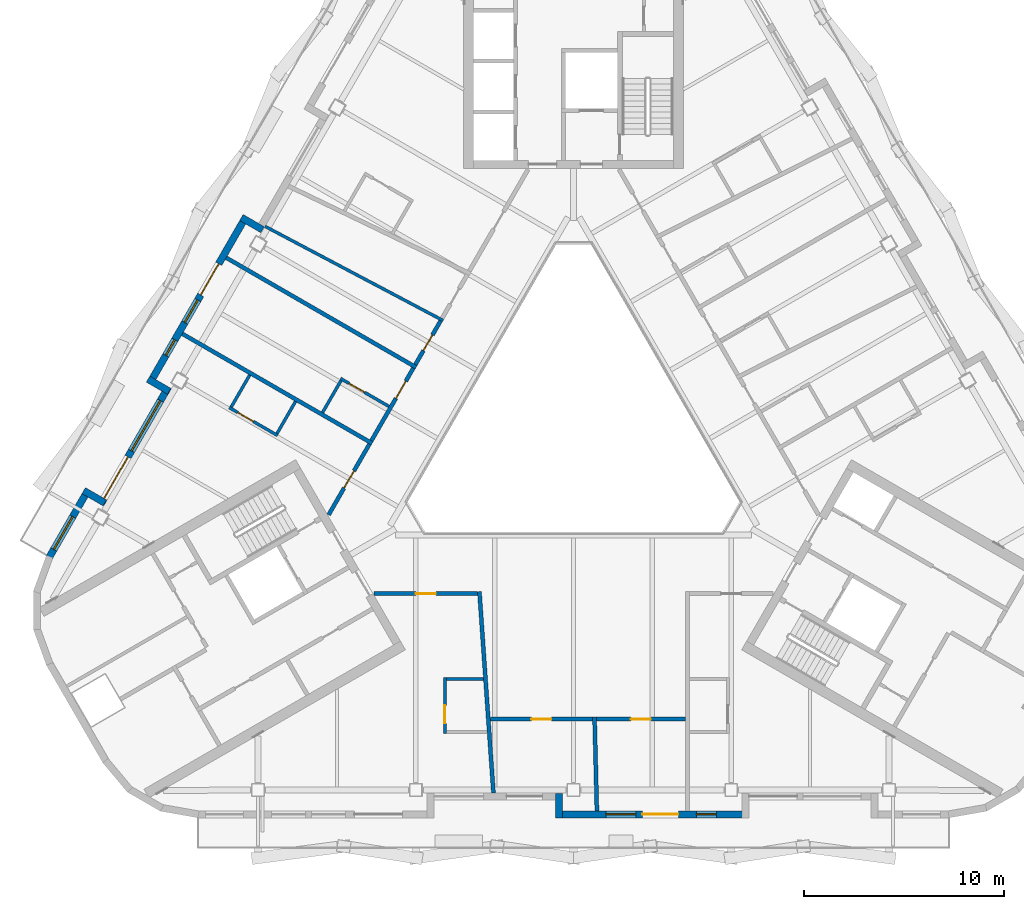
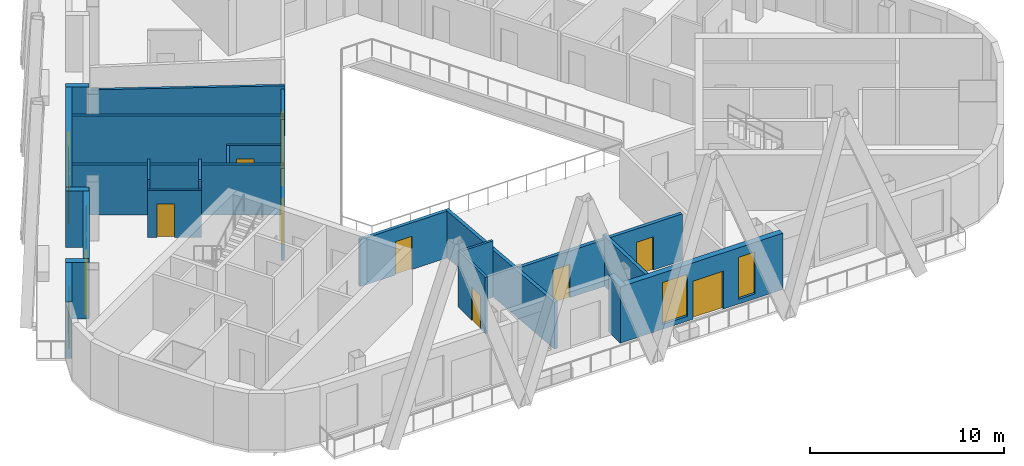
# One storey, part 6 of 18: 26 walls, 12 doors, 6 windows, 18 openings.
"""IFC4 building model written with IfcOpenShell, lengths in metres."""

from ifc_helpers import new_model, si_unit, direction, frame, frame_2d, origin, place, context, subcontext, project, spatial, rectangle, extrude, material, layer, layer_set, type_object, element, fill, save


model = new_model("IFC4")

# Units and contexts
model_context = context("Model", 3, precision=1e-05, world=origin(), true_north=direction((0.0, 1.0)))
body_context = subcontext(model_context, "Body", "Model", "MODEL_VIEW")
ifc_project = project(units=[si_unit("LENGTHUNIT", "METRE"), si_unit("AREAUNIT", "SQUARE_METRE"), si_unit("VOLUMEUNIT", "CUBIC_METRE"), si_unit("PLANEANGLEUNIT", "RADIAN"), si_unit("MASSUNIT", "GRAM", prefix="KILO")], contexts=[model_context])

# Site, building, storey
site_placement = place(None, origin())
site = spatial("IfcSite", under=ifc_project, at=site_placement, CompositionType="ELEMENT")
building_placement = place(site_placement, origin())
building = spatial("IfcBuilding", under=site, at=building_placement, Name="Apuvela Tower Hotel", CompositionType="ELEMENT")
storey_placement = place(building_placement, frame((0.0, 0.0, 246.699951171875)))
storey = spatial("IfcBuildingStorey", under=building, at=storey_placement, Name="L60", CompositionType="ELEMENT", Elevation=246.699951171875)

# Wall
ifc_material_1 = material(Name="Concrete C40/50, dark pigmented precast panel", Category="concrete")
ifc_layer_1 = layer(ifc_material_1, 0.35009765625)
ifc_layer_set_1 = layer_set([ifc_layer_1], Name="ENV-WALL-350")
wall_type_1 = type_object("IfcWallType", Name="ENV-WALL-350", PredefinedType="SOLIDWALL", material=ifc_layer_set_1)
wall_1_placement = place(storey_placement, frame((-15.580810546875, 9.8330078125, 0.0), z_axis=(0.0, 0.0, 1.0), x_axis=(-0.866055662726, 0.499947586314, 0.0)))
element("IfcWall", 1, at=wall_1_placement, inside=storey, type_object=wall_type_1, Name="External wall L60-04", PredefinedType="SOLIDWALL", context=body_context, shape_type="SweptSolid", body=[
    extrude(rectangle(XDim=1.220458984375, YDim=0.35009765625, at=frame_2d((0.6103515625, 0.0))), origin(), (0.0, 0.0, 1.0), 3.550048828125),
])

# Wall, openings, door, windows
wall_2_placement = place(storey_placement, frame((-16.3984375, 10.507080078125, 0.0), z_axis=(0.0, 0.0, 1.0), x_axis=(-0.499999142773, -0.866025898704, 0.0)))
wall_2 = element("IfcWall", 2, at=wall_2_placement, inside=storey, type_object=wall_type_1, Name="External wall L60-05", PredefinedType="SOLIDWALL", context=body_context, shape_type="SweptSolid", body=[
    extrude(rectangle(XDim=9.7001953125, YDim=0.35009765625, at=frame_2d((4.85009765625, 0.0))), origin(), (0.0, 0.0, 1.0), 3.550048828125),
])
opening_1_placement = place(wall_2_placement, frame((2.75048828125, 0.0, 0.0)))
opening_1 = element("IfcOpeningElement", 3, at=opening_1_placement, cuts=wall_2, Name="Opening BD18", PredefinedType="OPENING", context=body_context, shape_type="SweptSolid", body=[
    extrude(rectangle(XDim=1.800048828125, YDim=2.39990234375, at=frame_2d((0.89990234375, 1.199951171875))), frame((0.0, 0.18505859375, 0.0), z_axis=(0.0, -1.0, 0.0), x_axis=(1.0, 0.0, 0.0)), (0.0, 0.0, 1.0), 0.3701171875),
])
opening_2_placement = place(wall_2_placement, frame((4.850341796875, 0.0, 0.300048828125)))
opening_2 = element("IfcOpeningElement", 4, at=opening_2_placement, cuts=wall_2, Name="Opening WN13", PredefinedType="OPENING", context=body_context, shape_type="SweptSolid", body=[
    extrude(rectangle(XDim=1.300048828125, YDim=2.64990234375, at=frame_2d((0.64990234375, 1.324951171875))), frame((0.0, 0.18505859375, 0.0), z_axis=(0.0, -1.0, 0.0), x_axis=(1.0, 0.0, 0.0)), (0.0, 0.0, 1.0), 0.3701171875),
])
opening_3_placement = place(wall_2_placement, frame((7.14990234375, 0.0, 0.300048828125)))
opening_3 = element("IfcOpeningElement", 5, at=opening_3_placement, cuts=wall_2, Name="Opening WN09", PredefinedType="OPENING", context=body_context, shape_type="SweptSolid", body=[
    extrude(rectangle(XDim=0.89990234375, YDim=2.64990234375, at=frame_2d((0.449951171875, 1.324951171875))), frame((0.0, 0.18505859375, 0.0), z_axis=(0.0, -1.0, 0.0), x_axis=(1.0, 0.0, 0.0)), (0.0, 0.0, 1.0), 0.3701171875),
])
ifc_material_2 = material(Name="Aluminium 6063-T6, dark bronze anodised frame with dark tinted laminated glass", Category="aluminium")
door_type_1 = type_object("IfcDoorType", Name="ENV-DOOR-BALCONY-1800x2400", OperationType="SLIDING_TO_LEFT", PredefinedType="DOOR", material=ifc_material_2)
door_1_placement = place(opening_1_placement, frame((1.800048828125, 0.0, 0.0), z_axis=(0.0, 0.0, 1.0), x_axis=(-1.0, 0.0, 0.0)))
door_1 = element("IfcDoor", 6, at=door_1_placement, inside=storey, type_object=door_type_1, Name="Balcony door BD18", OperationType="SLIDING_TO_LEFT", OverallHeight=2.39990234375, OverallWidth=1.800048828125, PredefinedType="DOOR", context=body_context, shape_type="SweptSolid", body=[
    extrude(rectangle(XDim=1.800048828125, YDim=2.39990234375, at=frame_2d((0.89990234375, 1.199951171875))), frame((0.0, 0.02490234375, 0.0), z_axis=(0.0, -1.0, 0.0), x_axis=(1.0, 0.0, 0.0)), (0.0, 0.0, 1.0), 0.050048828125),
])
fill(opening_1, door_1)
ifc_material_3 = material(Name="Glass, dark tinted laminated insulated glazing unit", Category="glass")
window_type_1 = type_object("IfcWindowType", Name="ENV-WIN-1300x2650", PartitioningType="SINGLE_PANEL", PredefinedType="WINDOW", material=ifc_material_3)
window_1_placement = place(opening_2_placement, origin())
window_1 = element("IfcWindow", 7, at=window_1_placement, inside=storey, type_object=window_type_1, Name="Window WN13", OverallHeight=2.64990234375, OverallWidth=1.300048828125, PartitioningType="SINGLE_PANEL", PredefinedType="WINDOW", context=body_context, shape_type="SweptSolid", body=[
    extrude(rectangle(XDim=1.300048828125, YDim=2.64990234375, at=frame_2d((0.64990234375, 1.324951171875))), frame((0.0, 0.030029296875, 0.0), z_axis=(0.0, -1.0, 0.0), x_axis=(1.0, 0.0, 0.0)), (0.0, 0.0, 1.0), 0.06005859375),
])
fill(opening_2, window_1)
window_type_2 = type_object("IfcWindowType", Name="ENV-WIN-900x2650", PartitioningType="SINGLE_PANEL", PredefinedType="WINDOW", material=ifc_material_3)
window_2_placement = place(opening_3_placement, origin())
window_2 = element("IfcWindow", 8, at=window_2_placement, inside=storey, type_object=window_type_2, Name="Window WN09", OverallHeight=2.64990234375, OverallWidth=0.89990234375, PartitioningType="SINGLE_PANEL", PredefinedType="WINDOW", context=body_context, shape_type="SweptSolid", body=[
    extrude(rectangle(XDim=0.89990234375, YDim=2.64990234375, at=frame_2d((0.449951171875, 1.324951171875))), frame((0.0, 0.030029296875, 0.0), z_axis=(0.0, -1.0, 0.0), x_axis=(1.0, 0.0, 0.0)), (0.0, 0.0, 1.0), 0.06005859375),
])
fill(opening_3, window_2)

# Wall
wall_3_placement = place(storey_placement, frame((-21.3125, 2.345703125, 0.0), z_axis=(0.0, 0.0, 1.0), x_axis=(0.866005645448, -0.500034220881, 0.0)))
element("IfcWall", 9, at=wall_3_placement, inside=storey, type_object=wall_type_1, Name="External wall L60-06", PredefinedType="SOLIDWALL", context=body_context, shape_type="SweptSolid", body=[
    extrude(rectangle(XDim=1.22021484375, YDim=0.35009765625, at=frame_2d((0.610107421875, 0.0))), origin(), (0.0, 0.0, 1.0), 3.550048828125),
])

# Wall, openings, door, window
wall_4_placement = place(storey_placement, frame((-20.30908203125, 1.93359375, 0.0), z_axis=(0.0, 0.0, 1.0), x_axis=(-0.499992114976, -0.866029956157, 0.0)))
wall_4 = element("IfcWall", 10, at=wall_4_placement, inside=storey, type_object=wall_type_1, Name="External wall L60-07", PredefinedType="SOLIDWALL", context=body_context, shape_type="SweptSolid", body=[
    extrude(rectangle(XDim=6.73974609375, YDim=0.35009765625, at=frame_2d((3.369873046875, 0.0))), origin(), (0.0, 0.0, 1.0), 3.550048828125),
])
opening_4_placement = place(wall_4_placement, frame((4.02001953125, 0.0, 0.0)))
opening_4 = element("IfcOpeningElement", 11, at=opening_4_placement, cuts=wall_4, Name="Opening BD24", PredefinedType="OPENING", context=body_context, shape_type="SweptSolid", body=[
    extrude(rectangle(XDim=2.39990234375, YDim=2.39990234375, at=frame_2d((1.199951171875, 1.199951171875))), frame((0.0, 0.18505859375, 0.0), z_axis=(0.0, -1.0, 0.0), x_axis=(1.0, 0.0, 0.0)), (0.0, 0.0, 1.0), 0.3701171875),
])
opening_5_placement = place(wall_4_placement, frame((0.77001953125, 0.0, 0.300048828125)))
opening_5 = element("IfcOpeningElement", 12, at=opening_5_placement, cuts=wall_4, Name="Opening WN29", PredefinedType="OPENING", context=body_context, shape_type="SweptSolid", body=[
    extrude(rectangle(XDim=2.89990234375, YDim=2.64990234375, at=frame_2d((1.449951171875, 1.324951171875))), frame((0.0, 0.18505859375, 0.0), z_axis=(0.0, -1.0, 0.0), x_axis=(1.0, 0.0, 0.0)), (0.0, 0.0, 1.0), 0.3701171875),
])
door_type_2 = type_object("IfcDoorType", Name="ENV-DOOR-BALCONY-2400x2400", OperationType="SLIDING_TO_LEFT", PredefinedType="DOOR", material=ifc_material_2)
door_2_placement = place(opening_4_placement, frame((2.39990234375, 0.0, 0.0), z_axis=(0.0, 0.0, 1.0), x_axis=(-1.0, 0.0, 0.0)))
door_2 = element("IfcDoor", 13, at=door_2_placement, inside=storey, type_object=door_type_2, Name="Balcony door BD24", OperationType="SLIDING_TO_LEFT", OverallHeight=2.39990234375, OverallWidth=2.39990234375, PredefinedType="DOOR", context=body_context, shape_type="SweptSolid", body=[
    extrude(rectangle(XDim=2.39990234375, YDim=2.39990234375, at=frame_2d((1.199951171875, 1.199951171875))), frame((0.0, 0.02490234375, 0.0), z_axis=(0.0, -1.0, 0.0), x_axis=(1.0, 0.0, 0.0)), (0.0, 0.0, 1.0), 0.050048828125),
])
fill(opening_4, door_2)
window_type_3 = type_object("IfcWindowType", Name="ENV-WIN-2900x2650", PartitioningType="SINGLE_PANEL", PredefinedType="WINDOW", material=ifc_material_3)
window_3_placement = place(opening_5_placement, origin())
window_3 = element("IfcWindow", 14, at=window_3_placement, inside=storey, type_object=window_type_3, Name="Window WN29", OverallHeight=2.64990234375, OverallWidth=2.89990234375, PartitioningType="SINGLE_PANEL", PredefinedType="WINDOW", context=body_context, shape_type="SweptSolid", body=[
    extrude(rectangle(XDim=2.89990234375, YDim=2.64990234375, at=frame_2d((1.449951171875, 1.324951171875))), frame((0.0, 0.030029296875, 0.0), z_axis=(0.0, -1.0, 0.0), x_axis=(1.0, 0.0, 0.0)), (0.0, 0.0, 1.0), 0.06005859375),
])
fill(opening_5, window_3)

# Wall
wall_5_placement = place(storey_placement, frame((-23.48095703125, -3.85009765625, 0.0), z_axis=(0.0, 0.0, 1.0), x_axis=(-0.866092288191, 0.499884134912, 0.0)))
element("IfcWall", 15, at=wall_5_placement, inside=storey, type_object=wall_type_1, Name="External wall L60-08", PredefinedType="SOLIDWALL", context=body_context, shape_type="SweptSolid", body=[
    extrude(rectangle(XDim=1.219970703125, YDim=0.35009765625, at=frame_2d((0.60986328125, 0.0))), origin(), (0.0, 0.0, 1.0), 3.550048828125),
])

# Wall, opening, window
wall_6_placement = place(storey_placement, frame((-24.298583984375, -3.17626953125, 0.0), z_axis=(0.0, 0.0, 1.0), x_axis=(-0.500028278809, -0.866009076391, 0.0)))
wall_6 = element("IfcWall", 16, at=wall_6_placement, inside=storey, type_object=wall_type_1, Name="External wall L60-09", PredefinedType="SOLIDWALL", context=body_context, shape_type="SweptSolid", body=[
    extrude(rectangle(XDim=3.915771484375, YDim=0.35009765625, at=frame_2d((1.9580078125, 0.0))), origin(), (0.0, 0.0, 1.0), 3.550048828125),
])
opening_6_placement = place(wall_6_placement, frame((1.574951171875, 0.0, 0.300048828125)))
opening_6 = element("IfcOpeningElement", 17, at=opening_6_placement, cuts=wall_6, Name="Opening WN19", PredefinedType="OPENING", context=body_context, shape_type="SweptSolid", body=[
    extrude(rectangle(XDim=1.89990234375, YDim=2.64990234375, at=frame_2d((0.949951171875, 1.324951171875))), frame((0.0, 0.18505859375, 0.0), z_axis=(0.0, -1.0, 0.0), x_axis=(1.0, 0.0, 0.0)), (0.0, 0.0, 1.0), 0.3701171875),
])
window_type_4 = type_object("IfcWindowType", Name="ENV-WIN-1900x2650", PartitioningType="SINGLE_PANEL", PredefinedType="WINDOW", material=ifc_material_3)
window_4_placement = place(opening_6_placement, origin())
window_4 = element("IfcWindow", 18, at=window_4_placement, inside=storey, type_object=window_type_4, Name="Window WN19", OverallHeight=2.64990234375, OverallWidth=1.89990234375, PartitioningType="SINGLE_PANEL", PredefinedType="WINDOW", context=body_context, shape_type="SweptSolid", body=[
    extrude(rectangle(XDim=1.89990234375, YDim=2.64990234375, at=frame_2d((0.949951171875, 1.324951171875))), frame((0.0, 0.030029296875, 0.0), z_axis=(0.0, -1.0, 0.0), x_axis=(1.0, 0.0, 0.0)), (0.0, 0.0, 1.0), 0.06005859375),
])
fill(opening_6, window_4)

# Wall
wall_7_placement = place(storey_placement, frame((-0.72509765625, -18.409912109375, 0.0), z_axis=(0.0, 0.0, 1.0), x_axis=(0.0, -1.0, 0.0)))
element("IfcWall", 19, at=wall_7_placement, inside=storey, type_object=wall_type_1, Name="External wall L60-20", PredefinedType="SOLIDWALL", context=body_context, shape_type="SweptSolid", body=[
    extrude(rectangle(XDim=1.219970703125, YDim=0.35009765625, at=frame_2d((0.60986328125, 0.0))), origin(), (0.0, 0.0, 1.0), 3.550048828125),
])

# Wall, openings, door, windows
wall_8_placement = place(storey_placement, frame((-0.89990234375, -19.455078125, 0.0), z_axis=(0.0, 0.0, 1.0), x_axis=(1.0, 0.0, 0.0)))
wall_8 = element("IfcWall", 20, at=wall_8_placement, inside=storey, type_object=wall_type_1, Name="External wall L60-21", PredefinedType="SOLIDWALL", context=body_context, shape_type="SweptSolid", body=[
    extrude(rectangle(XDim=9.699951171875, YDim=0.35009765625, at=frame_2d((4.85009765625, 0.0))), origin(), (0.0, 0.0, 1.0), 3.550048828125),
])
opening_7_placement = place(wall_8_placement, frame((4.349609375, 0.0, 0.0)))
opening_7 = element("IfcOpeningElement", 21, at=opening_7_placement, cuts=wall_8, Name="Opening BD18", PredefinedType="OPENING", context=body_context, shape_type="SweptSolid", body=[
    extrude(rectangle(XDim=1.800048828125, YDim=2.39990234375, at=frame_2d((0.89990234375, 1.199951171875))), frame((0.0, 0.18505859375, 0.0), z_axis=(0.0, -1.0, 0.0), x_axis=(1.0, 0.0, 0.0)), (0.0, 0.0, 1.0), 0.3701171875),
])
opening_8_placement = place(wall_8_placement, frame((2.51953125, 0.0, 0.300048828125)))
opening_8 = element("IfcOpeningElement", 22, at=opening_8_placement, cuts=wall_8, Name="Opening WN15", PredefinedType="OPENING", context=body_context, shape_type="SweptSolid", body=[
    extrude(rectangle(XDim=1.5, YDim=2.64990234375, at=frame_2d((0.75, 1.324951171875))), frame((0.0, 0.18505859375, 0.0), z_axis=(0.0, -1.0, 0.0), x_axis=(1.0, 0.0, 0.0)), (0.0, 0.0, 1.0), 0.3701171875),
])
opening_9_placement = place(wall_8_placement, frame((7.0498046875, 0.0, 0.300048828125)))
opening_9 = element("IfcOpeningElement", 23, at=opening_9_placement, cuts=wall_8, Name="Opening WN10", PredefinedType="OPENING", context=body_context, shape_type="SweptSolid", body=[
    extrude(rectangle(XDim=1.0, YDim=2.64990234375, at=frame_2d((0.5, 1.324951171875))), frame((0.0, 0.18505859375, 0.0), z_axis=(0.0, -1.0, 0.0), x_axis=(1.0, 0.0, 0.0)), (0.0, 0.0, 1.0), 0.3701171875),
])
door_3_placement = place(opening_7_placement, frame((1.800048828125, 0.0, 0.0), z_axis=(0.0, 0.0, 1.0), x_axis=(-1.0, 0.0, 0.0)))
door_3 = element("IfcDoor", 24, at=door_3_placement, inside=storey, type_object=door_type_1, Name="Balcony door BD18", OperationType="SLIDING_TO_LEFT", OverallHeight=2.39990234375, OverallWidth=1.800048828125, PredefinedType="DOOR", context=body_context, shape_type="SweptSolid", body=[
    extrude(rectangle(XDim=1.800048828125, YDim=2.39990234375, at=frame_2d((0.89990234375, 1.199951171875))), frame((0.0, 0.02490234375, 0.0), z_axis=(0.0, -1.0, 0.0), x_axis=(1.0, 0.0, 0.0)), (0.0, 0.0, 1.0), 0.050048828125),
])
fill(opening_7, door_3)
window_type_5 = type_object("IfcWindowType", Name="ENV-WIN-1000x2650", PartitioningType="SINGLE_PANEL", PredefinedType="WINDOW", material=ifc_material_3)
window_5_placement = place(opening_9_placement, origin())
window_5 = element("IfcWindow", 25, at=window_5_placement, inside=storey, type_object=window_type_5, Name="Window WN10", OverallHeight=2.64990234375, OverallWidth=1.0, PartitioningType="SINGLE_PANEL", PredefinedType="WINDOW", context=body_context, shape_type="SweptSolid", body=[
    extrude(rectangle(XDim=1.0, YDim=2.64990234375, at=frame_2d((0.5, 1.324951171875))), frame((0.0, 0.030029296875, 0.0), z_axis=(0.0, -1.0, 0.0), x_axis=(1.0, 0.0, 0.0)), (0.0, 0.0, 1.0), 0.06005859375),
])
fill(opening_9, window_5)
window_type_6 = type_object("IfcWindowType", Name="ENV-WIN-1500x2650", PartitioningType="SINGLE_PANEL", PredefinedType="WINDOW", material=ifc_material_3)
window_6_placement = place(opening_8_placement, origin())
window_6 = element("IfcWindow", 26, at=window_6_placement, inside=storey, type_object=window_type_6, Name="Window WN15", OverallHeight=2.64990234375, OverallWidth=1.5, PartitioningType="SINGLE_PANEL", PredefinedType="WINDOW", context=body_context, shape_type="SweptSolid", body=[
    extrude(rectangle(XDim=1.5, YDim=2.64990234375, at=frame_2d((0.75, 1.324951171875))), frame((0.0, 0.030029296875, 0.0), z_axis=(0.0, -1.0, 0.0), x_axis=(1.0, 0.0, 0.0)), (0.0, 0.0, 1.0), 0.06005859375),
])
fill(opening_8, window_6)

# Walls
ifc_material_4 = material(Name="Gypsum board partition on twin steel stud", Category="steel")
ifc_layer_2 = layer(ifc_material_4, 0.199951171875)
ifc_layer_set_2 = layer_set([ifc_layer_2], Name="GST-PW1")
wall_type_2 = type_object("IfcWallType", Name="GST-PW1", PredefinedType="PARTITIONING", material=ifc_layer_set_2)
wall_9_placement = place(storey_placement, frame((-4.0126953125, -18.3798828125, 0.0), z_axis=(0.0, 0.0, 1.0), x_axis=(-0.06939415619, 0.997589319854, 0.0)))
element("IfcWall", 27, at=wall_9_placement, inside=storey, type_object=wall_type_2, Name="L60 partition 01", PredefinedType="PARTITIONING", context=body_context, shape_type="SweptSolid", body=[
    extrude(rectangle(XDim=10.104248046875, YDim=0.199951171875, at=frame_2d((5.05224609375, 0.0))), origin(), (0.0, 0.0, 1.0), 2.949951171875),
])
wall_10_placement = place(storey_placement, frame((1.169921875, -19.280029296875, 0.0), z_axis=(0.0, 0.0, 1.0), x_axis=(-0.025029816209, 0.999686705073, 0.0)))
element("IfcWall", 28, at=wall_10_placement, inside=storey, type_object=wall_type_2, Name="L60 partition 02", PredefinedType="PARTITIONING", context=body_context, shape_type="SweptSolid", body=[
    extrude(rectangle(XDim=4.701416015625, YDim=0.199951171875, at=frame_2d((2.3505859375, 0.0))), origin(), (0.0, 0.0, 1.0), 3.16015625),
])
for number, where, z_axis, x_axis, name in (
    (29, (-17.39697265625, 8.427490234375, 0.0), (0.0, 0.0, 1.0), (0.866027479907, -0.499996404033, 0.0), "L60 partition 09"),
    (30, (-19.596923828125, 4.6171875, 0.0), (0.0, 0.0, 1.0), (0.866027479907, -0.499996404033, 0.0), "L60 partition 10"),
):
    element("IfcWall", number, at=place(storey_placement, frame(where, z_axis=z_axis, x_axis=x_axis)), inside=storey, type_object=wall_type_2, Name=name, PredefinedType="PARTITIONING", context=body_context, shape_type="SweptSolid", body=[
        extrude(rectangle(XDim=10.97998046875, YDim=0.199951171875, at=frame_2d((5.489990234375, 0.0))), origin(), (0.0, 0.0, 1.0), 3.16015625),
    ])

# Wall, opening, door
ifc_material_5 = material(Name="Gypsum board corridor wall on twin steel stud, acoustic", Category="steel")
ifc_layer_3 = layer(ifc_material_5, 0.199951171875)
ifc_layer_set_3 = layer_set([ifc_layer_3], Name="GST-PW2")
wall_type_3 = type_object("IfcWallType", Name="GST-PW2", PredefinedType="PARTITIONING", material=ifc_layer_set_3)
wall_11_placement = place(storey_placement, frame((-4.80712890625, -8.39990234375, 0.0), z_axis=(0.0, 0.0, 1.0), x_axis=(-1.0, 0.0, 0.0)))
wall_11 = element("IfcWall", 31, at=wall_11_placement, inside=storey, type_object=wall_type_3, Name="L60 partition 11", PredefinedType="PARTITIONING", context=body_context, shape_type="SweptSolid", body=[
    extrude(rectangle(XDim=5.18115234375, YDim=0.199951171875, at=frame_2d((2.590576171875, 0.0))), origin(), (0.0, 0.0, 1.0), 2.949951171875),
])
opening_10_placement = place(wall_11_placement, frame((2.090576171875, 0.0, 0.0)))
opening_10 = element("IfcOpeningElement", 32, at=opening_10_placement, cuts=wall_11, Name="Opening GD23-02", PredefinedType="OPENING", context=body_context, shape_type="SweptSolid", body=[
    extrude(rectangle(XDim=1.0, YDim=2.10009765625, at=frame_2d((0.5, 1.050048828125))), frame((0.0, 0.10986328125, 0.0), z_axis=(0.0, -1.0, 0.0), x_axis=(1.0, 0.0, 0.0)), (0.0, 0.0, 1.0), 0.219970703125),
])
ifc_material_6 = material(Name="Timber door leaf in steel frame", Category="steel")
door_type_3 = type_object("IfcDoorType", Name="GST-D1", OperationType="NOTDEFINED", PredefinedType="DOOR", material=ifc_material_6)
door_4_placement = place(opening_10_placement, origin())
door_4 = element("IfcDoor", 33, at=door_4_placement, inside=storey, type_object=door_type_3, Name="Door L60-02", OperationType="SINGLE_SWING_LEFT", OverallHeight=2.10009765625, OverallWidth=1.0, PredefinedType="DOOR", context=body_context, shape_type="SweptSolid", body=[
    extrude(rectangle(XDim=1.0, YDim=2.10009765625, at=frame_2d((0.5, 1.050048828125))), frame((0.0, 0.02490234375, 0.0), z_axis=(0.0, -1.0, 0.0), x_axis=(1.0, 0.0, 0.0)), (0.0, 0.0, 1.0), 0.050048828125),
])
fill(opening_10, door_4)

wall_12_placement = place(storey_placement, frame((0.954833984375, -14.679931640625, 0.0), z_axis=(0.0, 0.0, 1.0), x_axis=(-1.0, 0.0, 0.0)))
wall_12 = element("IfcWall", 34, at=wall_12_placement, inside=storey, type_object=wall_type_3, Name="L60 partition 15", PredefinedType="PARTITIONING", context=body_context, shape_type="SweptSolid", body=[
    extrude(rectangle(XDim=5.124755859375, YDim=0.199951171875, at=frame_2d((2.5625, 0.0))), origin(), (0.0, 0.0, 1.0), 2.949951171875),
])
opening_11_placement = place(wall_12_placement, frame((2.062255859375, 0.0, 0.0)))
opening_11 = element("IfcOpeningElement", 35, at=opening_11_placement, cuts=wall_12, Name="Opening GD23-03", PredefinedType="OPENING", context=body_context, shape_type="SweptSolid", body=[
    extrude(rectangle(XDim=1.0, YDim=2.10009765625, at=frame_2d((0.5, 1.050048828125))), frame((0.0, 0.10986328125, 0.0), z_axis=(0.0, -1.0, 0.0), x_axis=(1.0, 0.0, 0.0)), (0.0, 0.0, 1.0), 0.219970703125),
])
door_5_placement = place(opening_11_placement, origin())
door_5 = element("IfcDoor", 36, at=door_5_placement, inside=storey, type_object=door_type_3, Name="Door L60-03", OperationType="SINGLE_SWING_LEFT", OverallHeight=2.10009765625, OverallWidth=1.0, PredefinedType="DOOR", context=body_context, shape_type="SweptSolid", body=[
    extrude(rectangle(XDim=1.0, YDim=2.10009765625, at=frame_2d((0.5, 1.050048828125))), frame((0.0, 0.02490234375, 0.0), z_axis=(0.0, -1.0, 0.0), x_axis=(1.0, 0.0, 0.0)), (0.0, 0.0, 1.0), 0.050048828125),
])
fill(opening_11, door_5)

wall_13_placement = place(storey_placement, frame((5.60009765625, -14.679931640625, 0.0), z_axis=(0.0, 0.0, 1.0), x_axis=(-1.0, 0.0, 0.0)))
wall_13 = element("IfcWall", 37, at=wall_13_placement, inside=storey, type_object=wall_type_3, Name="L60 partition 16", PredefinedType="PARTITIONING", context=body_context, shape_type="SweptSolid", body=[
    extrude(rectangle(XDim=4.4453125, YDim=0.199951171875, at=frame_2d((2.22265625, 0.0))), origin(), (0.0, 0.0, 1.0), 2.949951171875),
])
opening_12_placement = place(wall_13_placement, frame((1.72265625, 0.0, 0.0)))
opening_12 = element("IfcOpeningElement", 38, at=opening_12_placement, cuts=wall_13, Name="Opening GD23-04", PredefinedType="OPENING", context=body_context, shape_type="SweptSolid", body=[
    extrude(rectangle(XDim=1.0, YDim=2.10009765625, at=frame_2d((0.5, 1.050048828125))), frame((0.0, 0.10986328125, 0.0), z_axis=(0.0, -1.0, 0.0), x_axis=(1.0, 0.0, 0.0)), (0.0, 0.0, 1.0), 0.219970703125),
])
door_6_placement = place(opening_12_placement, origin())
door_6 = element("IfcDoor", 39, at=door_6_placement, inside=storey, type_object=door_type_3, Name="Door L60-04", OperationType="SINGLE_SWING_LEFT", OverallHeight=2.10009765625, OverallWidth=1.0, PredefinedType="DOOR", context=body_context, shape_type="SweptSolid", body=[
    extrude(rectangle(XDim=1.0, YDim=2.10009765625, at=frame_2d((0.5, 1.050048828125))), frame((0.0, 0.02490234375, 0.0), z_axis=(0.0, -1.0, 0.0), x_axis=(1.0, 0.0, 0.0)), (0.0, 0.0, 1.0), 0.050048828125),
])
fill(opening_12, door_6)

wall_14_placement = place(storey_placement, frame((-7.924560546875, 3.07421875, 0.0), z_axis=(0.0, 0.0, 1.0), x_axis=(0.499939757307, 0.866060182126, 0.0)))
wall_14 = element("IfcWall", 40, at=wall_14_placement, inside=storey, type_object=wall_type_3, Name="L60 partition 44", PredefinedType="PARTITIONING", context=body_context, shape_type="SweptSolid", body=[
    extrude(rectangle(XDim=2.528564453125, YDim=0.199951171875, at=frame_2d((1.26416015625, 0.0))), origin(), (0.0, 0.0, 1.0), 2.949951171875),
])
opening_13_placement = place(wall_14_placement, frame((0.814208984375, 0.0, 0.0)))
opening_13 = element("IfcOpeningElement", 41, at=opening_13_placement, cuts=wall_14, Name="Opening GD23-20", PredefinedType="OPENING", context=body_context, shape_type="SweptSolid", body=[
    extrude(rectangle(XDim=0.89990234375, YDim=2.10009765625, at=frame_2d((0.449951171875, 1.050048828125))), frame((0.0, 0.10986328125, 0.0), z_axis=(0.0, -1.0, 0.0), x_axis=(1.0, 0.0, 0.0)), (0.0, 0.0, 1.0), 0.219970703125),
])
door_type_4 = type_object("IfcDoorType", Name="GST-D2", OperationType="NOTDEFINED", PredefinedType="DOOR", material=ifc_material_6)
door_7_placement = place(opening_13_placement, origin())
door_7 = element("IfcDoor", 42, at=door_7_placement, inside=storey, type_object=door_type_4, Name="Door L60-20", OperationType="SINGLE_SWING_RIGHT", OverallHeight=2.10009765625, OverallWidth=0.89990234375, PredefinedType="DOOR", context=body_context, shape_type="SweptSolid", body=[
    extrude(rectangle(XDim=0.89990234375, YDim=2.10009765625, at=frame_2d((0.449951171875, 1.050048828125))), frame((0.0, 0.02490234375, 0.0), z_axis=(0.0, -1.0, 0.0), x_axis=(1.0, 0.0, 0.0)), (0.0, 0.0, 1.0), 0.050048828125),
])
fill(opening_13, door_7)

wall_15_placement = place(storey_placement, frame((-10.12451171875, -0.736328125, 0.0), z_axis=(0.0, 0.0, 1.0), x_axis=(0.49998411664, 0.866034573852, 0.0)))
wall_15 = element("IfcWall", 43, at=wall_15_placement, inside=storey, type_object=wall_type_3, Name="L60 partition 45", PredefinedType="PARTITIONING", context=body_context, shape_type="SweptSolid", body=[
    extrude(rectangle(XDim=4.199951171875, YDim=0.199951171875, at=frame_2d((2.10009765625, 0.0))), origin(), (0.0, 0.0, 1.0), 2.949951171875),
])
opening_14_placement = place(wall_15_placement, frame((2.449951171875, 0.0, 0.0)))
opening_14 = element("IfcOpeningElement", 44, at=opening_14_placement, cuts=wall_15, Name="Opening GD23-22", PredefinedType="OPENING", context=body_context, shape_type="SweptSolid", body=[
    extrude(rectangle(XDim=1.0, YDim=2.10009765625, at=frame_2d((0.5, 1.050048828125))), frame((0.0, 0.10986328125, 0.0), z_axis=(0.0, -1.0, 0.0), x_axis=(1.0, 0.0, 0.0)), (0.0, 0.0, 1.0), 0.219970703125),
])
door_8_placement = place(opening_14_placement, origin())
door_8 = element("IfcDoor", 45, at=door_8_placement, inside=storey, type_object=door_type_3, Name="Door L60-22", OperationType="SINGLE_SWING_RIGHT", OverallHeight=2.10009765625, OverallWidth=1.0, PredefinedType="DOOR", context=body_context, shape_type="SweptSolid", body=[
    extrude(rectangle(XDim=1.0, YDim=2.10009765625, at=frame_2d((0.5, 1.050048828125))), frame((0.0, 0.02490234375, 0.0), z_axis=(0.0, -1.0, 0.0), x_axis=(1.0, 0.0, 0.0)), (0.0, 0.0, 1.0), 0.050048828125),
])
fill(opening_14, door_8)

wall_16_placement = place(storey_placement, frame((-12.268798828125, -4.449951171875, 0.0), z_axis=(0.0, 0.0, 1.0), x_axis=(0.500011931275, 0.86601851515, 0.0)))
wall_16 = element("IfcWall", 46, at=wall_16_placement, inside=storey, type_object=wall_type_3, Name="L60 partition 48", PredefinedType="PARTITIONING", context=body_context, shape_type="SweptSolid", body=[
    extrude(rectangle(XDim=4.08837890625, YDim=0.199951171875, at=frame_2d((2.044189453125, 0.0))), origin(), (0.0, 0.0, 1.0), 2.949951171875),
])
opening_15_placement = place(wall_16_placement, frame((1.544189453125, 0.0, 0.0)))
opening_15 = element("IfcOpeningElement", 47, at=opening_15_placement, cuts=wall_16, Name="Opening GD23-24", PredefinedType="OPENING", context=body_context, shape_type="SweptSolid", body=[
    extrude(rectangle(XDim=1.0, YDim=2.10009765625, at=frame_2d((0.5, 1.050048828125))), frame((0.0, 0.10986328125, 0.0), z_axis=(0.0, -1.0, 0.0), x_axis=(1.0, 0.0, 0.0)), (0.0, 0.0, 1.0), 0.219970703125),
])
door_9_placement = place(opening_15_placement, origin())
door_9 = element("IfcDoor", 48, at=door_9_placement, inside=storey, type_object=door_type_3, Name="Door L60-24", OperationType="SINGLE_SWING_RIGHT", OverallHeight=2.10009765625, OverallWidth=1.0, PredefinedType="DOOR", context=body_context, shape_type="SweptSolid", body=[
    extrude(rectangle(XDim=1.0, YDim=2.10009765625, at=frame_2d((0.5, 1.050048828125))), frame((0.0, 0.02490234375, 0.0), z_axis=(0.0, -1.0, 0.0), x_axis=(1.0, 0.0, 0.0)), (0.0, 0.0, 1.0), 0.050048828125),
])
fill(opening_15, door_9)

ifc_material_7 = material(Name="Moisture-resistant gypsum board wet wall on steel stud", Category="steel")
ifc_layer_4 = layer(ifc_material_7, 0.14990234375)
ifc_layer_set_4 = layer_set([ifc_layer_4], Name="GST-PW3")
wall_type_4 = type_object("IfcWallType", Name="GST-PW3", PredefinedType="PARTITIONING", material=ifc_layer_set_4)
wall_17_placement = place(storey_placement, frame((-6.43994140625, -12.60009765625, 0.0), z_axis=(0.0, 0.0, 1.0), x_axis=(0.0, -1.0, 0.0)))
wall_17 = element("IfcWall", 49, at=wall_17_placement, inside=storey, type_object=wall_type_4, Name="L60 partition 12", PredefinedType="PARTITIONING", context=body_context, shape_type="SweptSolid", body=[
    extrude(rectangle(XDim=2.7998046875, YDim=0.14990234375, at=frame_2d((1.39990234375, 0.0))), origin(), (0.0, 0.0, 1.0), 3.550048828125),
])
opening_16_placement = place(wall_17_placement, frame((1.39990234375, 0.0, 0.0)))
opening_16 = element("IfcOpeningElement", 50, at=opening_16_placement, cuts=wall_17, Name="Opening GD23-01", PredefinedType="OPENING", context=body_context, shape_type="SweptSolid", body=[
    extrude(rectangle(XDim=0.89990234375, YDim=2.10009765625, at=frame_2d((0.449951171875, 1.050048828125))), frame((0.0, 0.0849609375, 0.0), z_axis=(0.0, -1.0, 0.0), x_axis=(1.0, 0.0, 0.0)), (0.0, 0.0, 1.0), 0.169921875),
])
door_10_placement = place(opening_16_placement, origin())
door_10 = element("IfcDoor", 51, at=door_10_placement, inside=storey, type_object=door_type_4, Name="Door L60-01", OperationType="SINGLE_SWING_RIGHT", OverallHeight=2.10009765625, OverallWidth=0.89990234375, PredefinedType="DOOR", context=body_context, shape_type="SweptSolid", body=[
    extrude(rectangle(XDim=0.89990234375, YDim=2.10009765625, at=frame_2d((0.449951171875, 1.050048828125))), frame((0.0, 0.02490234375, 0.0), z_axis=(0.0, -1.0, 0.0), x_axis=(1.0, 0.0, 0.0)), (0.0, 0.0, 1.0), 0.050048828125),
])
fill(opening_16, door_10)

# Walls
wall_18_placement = place(storey_placement, frame((-6.364990234375, -12.675048828125, 0.0), z_axis=(0.0, 0.0, 1.0), x_axis=(1.0, 0.0, 0.0)))
element("IfcWall", 52, at=wall_18_placement, inside=storey, type_object=wall_type_4, Name="L60 partition 14", PredefinedType="PARTITIONING", context=body_context, shape_type="SweptSolid", body=[
    extrude(rectangle(XDim=1.855224609375, YDim=0.14990234375, at=frame_2d((0.927734375, 0.0))), origin(), (0.0, 0.0, 1.0), 3.550048828125),
])
wall_19_placement = place(storey_placement, frame((-15.45068359375, 9.998291015625, 0.0), z_axis=(0.0, 0.0, 1.0), x_axis=(0.883969770247, -0.467544057058, 0.0)))
element("IfcWall", 53, at=wall_19_placement, inside=storey, type_object=wall_type_4, Name="L60 partition 42", PredefinedType="PARTITIONING", context=body_context, shape_type="SweptSolid", body=[
    extrude(rectangle(XDim=10.0869140625, YDim=0.14990234375, at=frame_2d((5.04345703125, 0.0))), origin(), (0.0, 0.0, 1.0), 3.16015625),
])

# Wall, opening, door
wall_20_placement = place(storey_placement, frame((-9.248779296875, 0.980712890625, 0.0), z_axis=(0.0, 0.0, 1.0), x_axis=(-0.865996816683, 0.500049511043, 0.0)))
wall_20 = element("IfcWall", 54, at=wall_20_placement, inside=storey, type_object=wall_type_4, Name="L60 partition 46", PredefinedType="PARTITIONING", context=body_context, shape_type="SweptSolid", body=[
    extrude(rectangle(XDim=2.800048828125, YDim=0.14990234375, at=frame_2d((1.39990234375, 0.0))), origin(), (0.0, 0.0, 1.0), 2.949951171875),
])
opening_17_placement = place(wall_20_placement, frame((1.39990234375, 0.0, 0.0)))
opening_17 = element("IfcOpeningElement", 55, at=opening_17_placement, cuts=wall_20, Name="Opening GD23-21", PredefinedType="OPENING", context=body_context, shape_type="SweptSolid", body=[
    extrude(rectangle(XDim=0.89990234375, YDim=2.10009765625, at=frame_2d((0.449951171875, 1.050048828125))), frame((0.0, 0.0849609375, 0.0), z_axis=(0.0, -1.0, 0.0), x_axis=(1.0, 0.0, 0.0)), (0.0, 0.0, 1.0), 0.169921875),
])
door_11_placement = place(opening_17_placement, origin())
door_11 = element("IfcDoor", 56, at=door_11_placement, inside=storey, type_object=door_type_4, Name="Door L60-21", OperationType="SINGLE_SWING_RIGHT", OverallHeight=2.10009765625, OverallWidth=0.89990234375, PredefinedType="DOOR", context=body_context, shape_type="SweptSolid", body=[
    extrude(rectangle(XDim=0.89990234375, YDim=2.10009765625, at=frame_2d((0.449951171875, 1.050048828125))), frame((0.0, 0.02490234375, 0.0), z_axis=(0.0, -1.0, 0.0), x_axis=(1.0, 0.0, 0.0)), (0.0, 0.0, 1.0), 0.050048828125),
])
fill(opening_17, door_11)

# Wall
wall_21_placement = place(storey_placement, frame((-11.64599609375, 2.2783203125, 0.0), z_axis=(0.0, 0.0, 1.0), x_axis=(-0.500042316284, -0.866000971088, 0.0)))
element("IfcWall", 57, at=wall_21_placement, inside=storey, type_object=wall_type_4, Name="L60 partition 47", PredefinedType="PARTITIONING", context=body_context, shape_type="SweptSolid", body=[
    extrude(rectangle(XDim=1.849853515625, YDim=0.14990234375, at=frame_2d((0.9248046875, 0.0))), origin(), (0.0, 0.0, 1.0), 2.949951171875),
])

# Wall, opening, door
wall_22_placement = place(storey_placement, frame((-17.249267578125, 0.92333984375, 0.0), z_axis=(0.0, 0.0, 1.0), x_axis=(0.866034573852, -0.49998411664, 0.0)))
wall_22 = element("IfcWall", 58, at=wall_22_placement, inside=storey, type_object=wall_type_4, Name="L60 partition 49", PredefinedType="PARTITIONING", context=body_context, shape_type="SweptSolid", body=[
    extrude(rectangle(XDim=2.7998046875, YDim=0.14990234375, at=frame_2d((1.39990234375, 0.0))), origin(), (0.0, 0.0, 1.0), 2.949951171875),
])
opening_18_placement = place(wall_22_placement, frame((0.5, 0.0, 0.0)))
opening_18 = element("IfcOpeningElement", 59, at=opening_18_placement, cuts=wall_22, Name="Opening GD23-23", PredefinedType="OPENING", context=body_context, shape_type="SweptSolid", body=[
    extrude(rectangle(XDim=0.89990234375, YDim=2.10009765625, at=frame_2d((0.449951171875, 1.050048828125))), frame((0.0, 0.0849609375, 0.0), z_axis=(0.0, -1.0, 0.0), x_axis=(1.0, 0.0, 0.0)), (0.0, 0.0, 1.0), 0.169921875),
])
door_12_placement = place(opening_18_placement, origin())
door_12 = element("IfcDoor", 60, at=door_12_placement, inside=storey, type_object=door_type_4, Name="Door L60-23", OperationType="SINGLE_SWING_LEFT", OverallHeight=2.10009765625, OverallWidth=0.89990234375, PredefinedType="DOOR", context=body_context, shape_type="SweptSolid", body=[
    extrude(rectangle(XDim=0.89990234375, YDim=2.10009765625, at=frame_2d((0.449951171875, 1.050048828125))), frame((0.0, 0.02490234375, 0.0), z_axis=(0.0, -1.0, 0.0), x_axis=(1.0, 0.0, 0.0)), (0.0, 0.0, 1.0), 0.050048828125),
])
fill(opening_18, door_12)

# Walls
for number, where, z_axis, x_axis, name in (
    (61, (-16.2216796875, 2.552978515625, 0.0), (0.0, 0.0, 1.0), (-0.499985172903, -0.866033964044, 0.0), "L60 partition 50"),
    (62, (-13.927001953125, 1.22802734375, 0.0), (0.0, 0.0, 1.0), (-0.499886193382, -0.866091100096, 0.0), "L60 partition 51"),
):
    element("IfcWall", number, at=place(storey_placement, frame(where, z_axis=z_axis, x_axis=x_axis)), inside=storey, type_object=wall_type_4, Name=name, PredefinedType="PARTITIONING", context=body_context, shape_type="SweptSolid", body=[
        extrude(rectangle(XDim=1.85009765625, YDim=0.14990234375, at=frame_2d((0.925048828125, 0.0))), origin(), (0.0, 0.0, 1.0), 3.550048828125),
    ])

save(model, "model.ifc")
